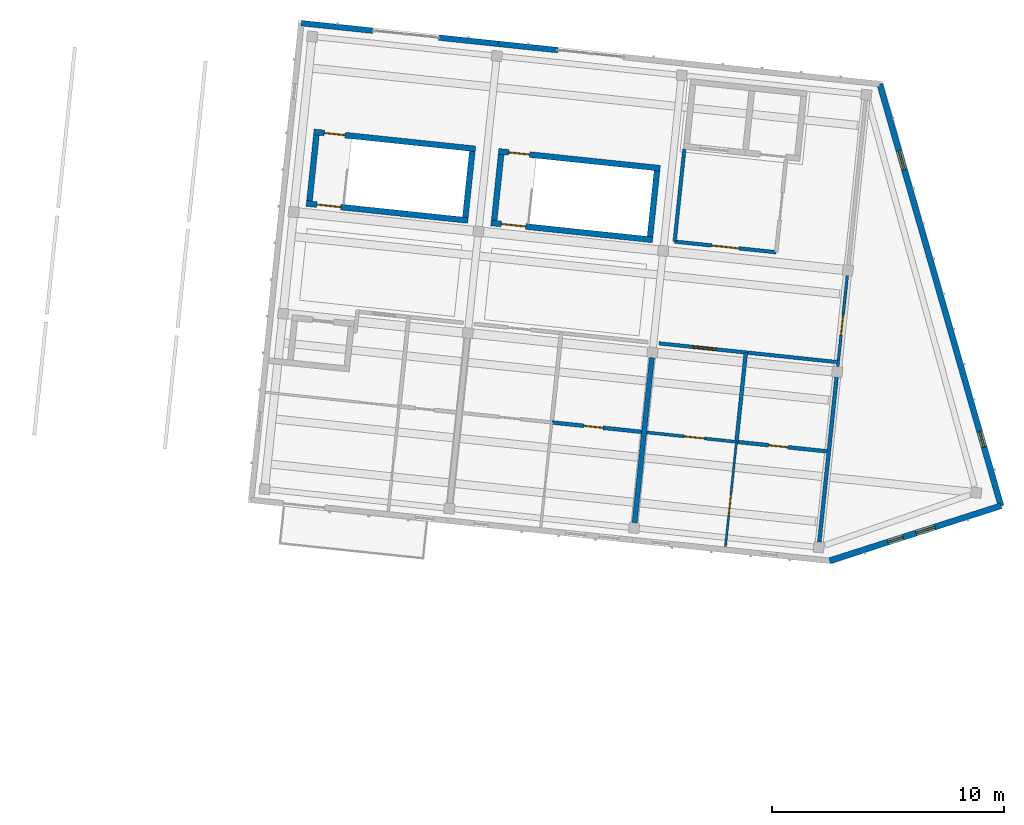
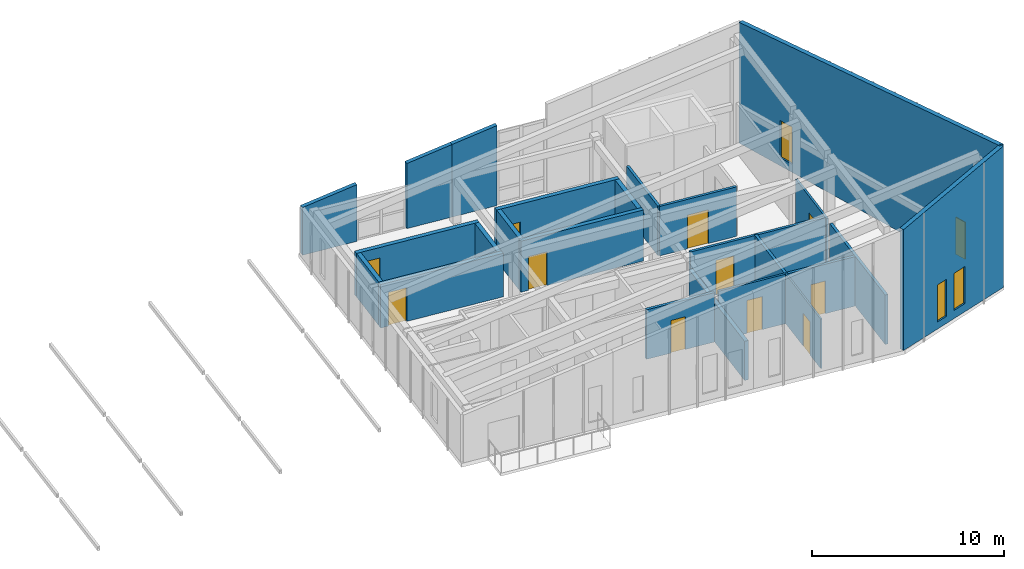
# One storey, part 18 of 31: 24 walls, 11 doors, 4 windows, 15 openings.
"""IFC4 building model written with IfcOpenShell, lengths in metres."""

from ifc_helpers import new_model, si_unit, direction, frame, frame_2d, origin, place, context, subcontext, project, spatial, polyline, rectangle, outline, extrude, material, layer, layer_set, type_object, element, fill, save


model = new_model("IFC4")

# Units and contexts
model_context = context("Model", 3, precision=1e-05, world=origin(), true_north=direction((0.0, 1.0)))
body_context = subcontext(model_context, "Body", "Model", "MODEL_VIEW")
ifc_project = project(units=[si_unit("LENGTHUNIT", "METRE"), si_unit("AREAUNIT", "SQUARE_METRE"), si_unit("VOLUMEUNIT", "CUBIC_METRE"), si_unit("PLANEANGLEUNIT", "RADIAN"), si_unit("MASSUNIT", "GRAM", prefix="KILO")], contexts=[model_context])

# Site, building, storey
site_placement = place(None, origin())
site = spatial("IfcSite", under=ifc_project, at=site_placement, CompositionType="ELEMENT")
building_placement = place(site_placement, origin())
building = spatial("IfcBuilding", under=site, at=building_placement, Name="Kestramere Prow Commons", CompositionType="ELEMENT")
storey_placement = place(building_placement, frame((0.0, 0.0, 37.64990234375)))
storey = spatial("IfcBuildingStorey", under=building, at=storey_placement, Name="L11", CompositionType="ELEMENT", Elevation=37.64990234375)

# Wall, openings, windows
ifc_material_1 = material(Name="Weathered Zinc-Titanium Standing-Seam Cladding")
ifc_layer_1 = layer(ifc_material_1, 0.260009765625)
ifc_layer_set_1 = layer_set([ifc_layer_1], Name="Weathered Zinc-Titanium Standing-Seam Cladding")
wall_type_1 = type_object("IfcWallType", Name="EW-PROW-260", PredefinedType="SOLIDWALL", material=ifc_layer_set_1)
wall_1_placement = place(storey_placement, frame((160.36279296875, 109.742431640625, 0.0), z_axis=(0.0, 0.0, 1.0), x_axis=(0.276322184526, -0.961065060409, 0.0)))
wall_1 = element("IfcWall", 1, at=wall_1_placement, inside=storey, type_object=wall_type_1, Name="Block B L11 PRW-N Facet Wall", PredefinedType="SOLIDWALL", context=body_context, shape_type="SweptSolid", body=[
    extrude(outline(polyline([(0.0, 0.0), (18.90673828125, 0.0), (18.90673828125, 9.002197265625), (0.0, 7.685791015625), (0.0, 0.0)])), frame((0.0, 0.1298828125, 0.0), z_axis=(0.0, -1.0, 0.0), x_axis=(1.0, 0.0, 0.0)), (0.0, 0.0, 1.0), 0.260009765625),
])
opening_1_placement = place(wall_1_placement, frame((2.989990234375, 0.0, 0.52001953125)))
opening_1 = element("IfcOpeningElement", 2, at=opening_1_placement, cuts=wall_1, Name="Opening WN-15", PredefinedType="OPENING", context=body_context, shape_type="SweptSolid", body=[
    extrude(rectangle(XDim=0.860107421875, YDim=2.360107421875, at=frame_2d((0.43017578125, 1.18017578125))), frame((0.0, 0.14501953125, 0.0), z_axis=(0.0, -1.0, 0.0), x_axis=(1.0, 0.0, 0.0)), (0.0, 0.0, 1.0), 0.2900390625),
])
opening_2_placement = place(wall_1_placement, frame((15.57666015625, 0.0, 0.449951171875)))
opening_2 = element("IfcOpeningElement", 3, at=opening_2_placement, cuts=wall_1, Name="Opening WN-07", PredefinedType="OPENING", context=body_context, shape_type="SweptSolid", body=[
    extrude(rectangle(XDim=0.699951171875, YDim=2.360107421875, at=frame_2d((0.35009765625, 1.18017578125))), frame((0.0, 0.14501953125, 0.0), z_axis=(0.0, -1.0, 0.0), x_axis=(1.0, 0.0, 0.0)), (0.0, 0.0, 1.0), 0.2900390625),
])
ifc_material_2 = material(Name="Low-E Laminated Double Glazing", Category="glass")
window_type_1 = type_object("IfcWindowType", Name="WN-NAR-700A", PartitioningType="SINGLE_PANEL", PredefinedType="WINDOW", material=ifc_material_2)
window_1_placement = place(opening_2_placement, origin())
window_1 = element("IfcWindow", 4, at=window_1_placement, inside=storey, type_object=window_type_1, Name="WN-B-L11-PRW-N-1", OverallHeight=2.360107421875, OverallWidth=0.699951171875, PartitioningType="SINGLE_PANEL", PredefinedType="WINDOW", context=body_context, shape_type="SweptSolid", body=[
    extrude(rectangle(XDim=0.699951171875, YDim=2.360107421875, at=frame_2d((0.35009765625, 1.18017578125))), frame((0.0, 0.030029296875, 0.0), z_axis=(0.0, -1.0, 0.0), x_axis=(1.0, 0.0, 0.0)), (0.0, 0.0, 1.0), 0.06005859375),
])
fill(opening_2, window_1)
window_type_2 = type_object("IfcWindowType", Name="WN-NAR-860A", PartitioningType="DOUBLE_PANEL_VERTICAL", PredefinedType="WINDOW", material=ifc_material_2)
window_2_placement = place(opening_1_placement, origin())
window_2 = element("IfcWindow", 5, at=window_2_placement, inside=storey, type_object=window_type_2, Name="WN-B-L11-PRW-N-0", OverallHeight=2.360107421875, OverallWidth=0.860107421875, PartitioningType="SINGLE_PANEL", PredefinedType="WINDOW", context=body_context, shape_type="SweptSolid", body=[
    extrude(rectangle(XDim=0.860107421875, YDim=2.360107421875, at=frame_2d((0.43017578125, 1.18017578125))), frame((0.0, 0.030029296875, 0.0), z_axis=(0.0, -1.0, 0.0), x_axis=(1.0, 0.0, 0.0)), (0.0, 0.0, 1.0), 0.06005859375),
])
fill(opening_1, window_2)

wall_2_placement = place(storey_placement, frame((165.587158203125, 91.57177734375, 0.0), z_axis=(0.0, 0.0, 1.0), x_axis=(-0.9522851043, -0.305209895201, 0.0)))
wall_2 = element("IfcWall", 6, at=wall_2_placement, inside=storey, type_object=wall_type_1, Name="Block B L11 PRW-S Facet Wall", PredefinedType="SOLIDWALL", context=body_context, shape_type="SweptSolid", body=[
    extrude(outline(polyline([(0.0, 0.0), (7.752685546875, 0.0), (7.752685546875, 7.685791015625), (0.0, 9.002197265625), (0.0, 0.0)])), frame((0.0, 0.1298828125, 0.0), z_axis=(0.0, -1.0, 0.0), x_axis=(1.0, 0.0, 0.0)), (0.0, 0.0, 1.0), 0.260009765625),
])
opening_3_placement = place(wall_2_placement, frame((2.989990234375, 0.0, 0.52001953125)))
opening_3 = element("IfcOpeningElement", 7, at=opening_3_placement, cuts=wall_2, Name="Opening WN-15", PredefinedType="OPENING", context=body_context, shape_type="SweptSolid", body=[
    extrude(rectangle(XDim=0.860107421875, YDim=2.360107421875, at=frame_2d((0.43017578125, 1.18017578125))), frame((0.0, 0.14501953125, 0.0), z_axis=(0.0, -1.0, 0.0), x_axis=(1.0, 0.0, 0.0)), (0.0, 0.0, 1.0), 0.2900390625),
])
opening_4_placement = place(wall_2_placement, frame((4.422607421875, 0.0, 0.449951171875)))
opening_4 = element("IfcOpeningElement", 8, at=opening_4_placement, cuts=wall_2, Name="Opening WN-07", PredefinedType="OPENING", context=body_context, shape_type="SweptSolid", body=[
    extrude(rectangle(XDim=0.699951171875, YDim=2.360107421875, at=frame_2d((0.35009765625, 1.18017578125))), frame((0.0, 0.14501953125, 0.0), z_axis=(0.0, -1.0, 0.0), x_axis=(1.0, 0.0, 0.0)), (0.0, 0.0, 1.0), 0.2900390625),
])
window_3_placement = place(opening_4_placement, origin())
window_3 = element("IfcWindow", 9, at=window_3_placement, inside=storey, type_object=window_type_1, Name="WN-B-L11-PRW-S-1", OverallHeight=2.360107421875, OverallWidth=0.699951171875, PartitioningType="SINGLE_PANEL", PredefinedType="WINDOW", context=body_context, shape_type="SweptSolid", body=[
    extrude(rectangle(XDim=0.699951171875, YDim=2.360107421875, at=frame_2d((0.35009765625, 1.18017578125))), frame((0.0, 0.030029296875, 0.0), z_axis=(0.0, -1.0, 0.0), x_axis=(1.0, 0.0, 0.0)), (0.0, 0.0, 1.0), 0.06005859375),
])
fill(opening_4, window_3)
window_4_placement = place(opening_3_placement, origin())
window_4 = element("IfcWindow", 10, at=window_4_placement, inside=storey, type_object=window_type_2, Name="WN-B-L11-PRW-S-0", OverallHeight=2.360107421875, OverallWidth=0.860107421875, PartitioningType="SINGLE_PANEL", PredefinedType="WINDOW", context=body_context, shape_type="SweptSolid", body=[
    extrude(rectangle(XDim=0.860107421875, YDim=2.360107421875, at=frame_2d((0.43017578125, 1.18017578125))), frame((0.0, 0.030029296875, 0.0), z_axis=(0.0, -1.0, 0.0), x_axis=(1.0, 0.0, 0.0)), (0.0, 0.0, 1.0), 0.06005859375),
])
fill(opening_3, window_4)

# Walls
ifc_material_3 = material(Name="Fluoropolymer Standing-Seam Zinc-Aluminium Cladding", Category="aluminium")
ifc_layer_2 = layer(ifc_material_3, 0.239990234375)
ifc_layer_set_2 = layer_set([ifc_layer_2], Name="Fluoropolymer Standing-Seam Zinc-Aluminium Cladding")
wall_type_2 = type_object("IfcWallType", Name="EW-SEAM-240", PredefinedType="SOLIDWALL", material=ifc_layer_set_2)
wall_3_placement = place(storey_placement, frame((135.449951171875, 112.36083984375, 0.0), z_axis=(0.0, 0.0, 1.0), x_axis=(0.99452399338, -0.104508500096, 0.0)))
element("IfcWall", 11, at=wall_3_placement, inside=storey, type_object=wall_type_2, Name="Block B L11 North Standing-Seam Pier 4L", PredefinedType="SOLIDWALL", context=body_context, shape_type="SweptSolid", body=[
    extrude(outline(polyline([(0.0, 0.0), (3.10009765625, 0.0), (3.10009765625, 3.61279296875), (0.0, 3.03759765625), (0.0, 0.0)])), frame((0.0, 0.1201171875, 0.0), z_axis=(0.0, -1.0, 0.0), x_axis=(1.0, 0.0, 0.0)), (0.0, 0.0, 1.0), 0.239990234375),
])
wall_4_placement = place(storey_placement, frame((141.367431640625, 111.739013671875, 0.0), z_axis=(0.0, 0.0, 1.0), x_axis=(0.99451635776, -0.104581136677, 0.0)))
element("IfcWall", 12, at=wall_4_placement, inside=storey, type_object=wall_type_2, Name="Block B L11 North Standing-Seam Pier 4R", PredefinedType="SOLIDWALL", context=body_context, shape_type="SweptSolid", body=[
    extrude(outline(polyline([(0.0, 0.0), (2.574951171875, 0.0), (2.574951171875, 4.619384765625), (0.0, 4.1416015625), (0.0, 0.0)])), frame((0.0, 0.1201171875, 0.0), z_axis=(0.0, -1.0, 0.0), x_axis=(1.0, 0.0, 0.0)), (0.0, 0.0, 1.0), 0.239990234375),
])
wall_5_placement = place(storey_placement, frame((143.92822265625, 111.4697265625, 0.0), z_axis=(0.0, 0.0, 1.0), x_axis=(0.994527249958, -0.104477505191, 0.0)))
element("IfcWall", 13, at=wall_5_placement, inside=storey, type_object=wall_type_2, Name="Block B L11 North Standing-Seam Pier 5L", PredefinedType="SOLIDWALL", context=body_context, shape_type="SweptSolid", body=[
    extrude(outline(polyline([(0.0, 0.0), (2.5751953125, 0.0), (2.574951171875, 5.097412109375), (0.0, 4.619384765625), (0.0, 0.0)])), frame((0.0, 0.1201171875, 0.0), z_axis=(0.0, -1.0, 0.0), x_axis=(1.0, 0.0, 0.0)), (0.0, 0.0, 1.0), 0.239990234375),
])

# Wall, opening, door
ifc_material_4 = material(Name="Concrete C40/50", Category="concrete")
ifc_layer_3 = layer(ifc_material_4, 0.25)
ifc_layer_set_3 = layer_set([ifc_layer_3], Name="Concrete C40/50")
wall_type_3 = type_object("IfcWallType", Name="W-CORE-250", PredefinedType="SHEAR", material=ifc_layer_set_3)
wall_6_placement = place(storey_placement, frame((135.988525390625, 107.678955078125, 0.0), z_axis=(0.0, 0.0, 1.0), x_axis=(0.994522066748, -0.104526832686, 0.0)))
wall_6 = element("IfcWall", 14, at=wall_6_placement, inside=storey, type_object=wall_type_3, Name="ST-B1 L11 North Shaft Wall", PredefinedType="SHEAR", context=body_context, shape_type="SweptSolid", body=[
    extrude(rectangle(XDim=7.0, YDim=0.25, at=frame_2d((3.5, 0.0))), origin(), (0.0, 0.0, 1.0), 2.77001953125),
])
opening_5_placement = place(wall_6_placement, frame((0.449951171875, 0.0, 0.0)))
opening_5 = element("IfcOpeningElement", 15, at=opening_5_placement, cuts=wall_6, Name="Opening ID-08", PredefinedType="OPENING", context=body_context, shape_type="SweptSolid", body=[
    extrude(rectangle(XDim=0.89990234375, YDim=2.10009765625, at=frame_2d((0.449951171875, 1.050048828125))), frame((0.0, 0.139892578125, 0.0), z_axis=(0.0, -1.0, 0.0), x_axis=(1.0, 0.0, 0.0)), (0.0, 0.0, 1.0), 0.280029296875),
])
ifc_material_5 = material(Name="Engineered Timber Flush Door", Category="wood")
door_type_1 = type_object("IfcDoorType", Name="D-RM-01", OperationType="NOTDEFINED", PredefinedType="DOOR", material=ifc_material_5)
door_1_placement = place(opening_5_placement, origin())
door_1 = element("IfcDoor", 16, at=door_1_placement, inside=storey, type_object=door_type_1, Name="ST-B1 L11 North Room Door", OperationType="SINGLE_SWING_RIGHT", OverallHeight=2.10009765625, OverallWidth=0.89990234375, PredefinedType="DOOR", context=body_context, shape_type="SweptSolid", body=[
    extrude(rectangle(XDim=0.89990234375, YDim=2.10009765625, at=frame_2d((0.449951171875, 1.050048828125))), frame((0.0, 0.02490234375, 0.0), z_axis=(0.0, -1.0, 0.0), x_axis=(1.0, 0.0, 0.0)), (0.0, 0.0, 1.0), 0.050048828125),
])
fill(opening_5, door_1)

wall_7_placement = place(storey_placement, frame((135.66455078125, 104.595947265625, 0.0), z_axis=(0.0, 0.0, 1.0), x_axis=(0.994522066748, -0.104526832686, 0.0)))
wall_7 = element("IfcWall", 17, at=wall_7_placement, inside=storey, type_object=wall_type_3, Name="ST-B1 L11 Corridor Shaft Wall", PredefinedType="SHEAR", context=body_context, shape_type="SweptSolid", body=[
    extrude(rectangle(XDim=7.0, YDim=0.25, at=frame_2d((3.5, 0.0))), origin(), (0.0, 0.0, 1.0), 2.77001953125),
])
opening_6_placement = place(wall_7_placement, frame((0.449951171875, 0.0, 0.0)))
opening_6 = element("IfcOpeningElement", 18, at=opening_6_placement, cuts=wall_7, Name="Opening ID-01", PredefinedType="OPENING", context=body_context, shape_type="SweptSolid", body=[
    extrude(rectangle(XDim=1.050048828125, YDim=2.14990234375, at=frame_2d((0.52490234375, 1.074951171875))), frame((0.0, 0.139892578125, 0.0), z_axis=(0.0, -1.0, 0.0), x_axis=(1.0, 0.0, 0.0)), (0.0, 0.0, 1.0), 0.280029296875),
])
ifc_material_6 = material(Name="Fire-Rated Timber and Steel Frame", Category="steel")
door_type_2 = type_object("IfcDoorType", Name="FD-ST-01", OperationType="NOTDEFINED", PredefinedType="DOOR", material=ifc_material_6)
door_2_placement = place(opening_6_placement, origin())
door_2 = element("IfcDoor", 19, at=door_2_placement, inside=storey, type_object=door_type_2, Name="ST-B1 L11 Protected Stair Door", OperationType="SINGLE_SWING_RIGHT", OverallHeight=2.14990234375, OverallWidth=1.050048828125, PredefinedType="DOOR", context=body_context, shape_type="SweptSolid", body=[
    extrude(rectangle(XDim=1.050048828125, YDim=2.14990234375, at=frame_2d((0.52490234375, 1.074951171875))), frame((0.0, 0.02490234375, 0.0), z_axis=(0.0, -1.0, 0.0), x_axis=(1.0, 0.0, 0.0)), (0.0, 0.0, 1.0), 0.050048828125),
])
fill(opening_6, door_2)

# Walls
for number, where, z_axis, x_axis, name in (
    (20, (135.802001953125, 104.707275390625, 0.0), (0.0, 0.0, 1.0), (0.104515324063, 0.994523276267, 0.0), "ST-B1 L11 Near Shaft Wall"),
    (21, (142.514892578125, 104.001708984375, 0.0), (0.0, 0.0, 1.0), (0.104515324063, 0.994523276267, 0.0), "ST-B1 L11 Far Shaft Wall"),
):
    element("IfcWall", number, at=place(storey_placement, frame(where, z_axis=z_axis, x_axis=x_axis)), inside=storey, type_object=wall_type_3, Name=name, PredefinedType="SHEAR", context=body_context, shape_type="SweptSolid", body=[
        extrude(rectangle(XDim=2.849853515625, YDim=0.25, at=frame_2d((1.4248046875, 0.0))), origin(), (0.0, 0.0, 1.0), 2.77001953125),
    ])

# Wall, opening, door
wall_8_placement = place(storey_placement, frame((143.94482421875, 106.8427734375, 0.0), z_axis=(0.0, 0.0, 1.0), x_axis=(0.994522066748, -0.104526832686, 0.0)))
wall_8 = element("IfcWall", 22, at=wall_8_placement, inside=storey, type_object=wall_type_3, Name="ST-B2 L11 North Shaft Wall", PredefinedType="SHEAR", context=body_context, shape_type="SweptSolid", body=[
    extrude(rectangle(XDim=7.0, YDim=0.25, at=frame_2d((3.5, 0.0))), origin(), (0.0, 0.0, 1.0), 3.25),
])
opening_7_placement = place(wall_8_placement, frame((0.449951171875, 0.0, 0.0)))
opening_7 = element("IfcOpeningElement", 23, at=opening_7_placement, cuts=wall_8, Name="Opening ID-08", PredefinedType="OPENING", context=body_context, shape_type="SweptSolid", body=[
    extrude(rectangle(XDim=0.89990234375, YDim=2.10009765625, at=frame_2d((0.449951171875, 1.050048828125))), frame((0.0, 0.139892578125, 0.0), z_axis=(0.0, -1.0, 0.0), x_axis=(1.0, 0.0, 0.0)), (0.0, 0.0, 1.0), 0.280029296875),
])
door_3_placement = place(opening_7_placement, origin())
door_3 = element("IfcDoor", 24, at=door_3_placement, inside=storey, type_object=door_type_1, Name="ST-B2 L11 North Room Door", OperationType="SINGLE_SWING_RIGHT", OverallHeight=2.10009765625, OverallWidth=0.89990234375, PredefinedType="DOOR", context=body_context, shape_type="SweptSolid", body=[
    extrude(rectangle(XDim=0.89990234375, YDim=2.10009765625, at=frame_2d((0.449951171875, 1.050048828125))), frame((0.0, 0.02490234375, 0.0), z_axis=(0.0, -1.0, 0.0), x_axis=(1.0, 0.0, 0.0)), (0.0, 0.0, 1.0), 0.050048828125),
])
fill(opening_7, door_3)

wall_9_placement = place(storey_placement, frame((143.62060546875, 103.759765625, 0.0), z_axis=(0.0, 0.0, 1.0), x_axis=(0.994522066748, -0.104526832686, 0.0)))
wall_9 = element("IfcWall", 25, at=wall_9_placement, inside=storey, type_object=wall_type_3, Name="ST-B2 L11 Corridor Shaft Wall", PredefinedType="SHEAR", context=body_context, shape_type="SweptSolid", body=[
    extrude(rectangle(XDim=7.0, YDim=0.25, at=frame_2d((3.5, 0.0))), origin(), (0.0, 0.0, 1.0), 3.25),
])
opening_8_placement = place(wall_9_placement, frame((0.449951171875, 0.0, 0.0)))
opening_8 = element("IfcOpeningElement", 26, at=opening_8_placement, cuts=wall_9, Name="Opening ID-01", PredefinedType="OPENING", context=body_context, shape_type="SweptSolid", body=[
    extrude(rectangle(XDim=1.050048828125, YDim=2.14990234375, at=frame_2d((0.52490234375, 1.074951171875))), frame((0.0, 0.139892578125, 0.0), z_axis=(0.0, -1.0, 0.0), x_axis=(1.0, 0.0, 0.0)), (0.0, 0.0, 1.0), 0.280029296875),
])
door_4_placement = place(opening_8_placement, origin())
door_4 = element("IfcDoor", 27, at=door_4_placement, inside=storey, type_object=door_type_2, Name="ST-B2 L11 Protected Stair Door", OperationType="SINGLE_SWING_RIGHT", OverallHeight=2.14990234375, OverallWidth=1.050048828125, PredefinedType="DOOR", context=body_context, shape_type="SweptSolid", body=[
    extrude(rectangle(XDim=1.050048828125, YDim=2.14990234375, at=frame_2d((0.52490234375, 1.074951171875))), frame((0.0, 0.02490234375, 0.0), z_axis=(0.0, -1.0, 0.0), x_axis=(1.0, 0.0, 0.0)), (0.0, 0.0, 1.0), 0.050048828125),
])
fill(opening_8, door_4)

# Walls
for number, where, z_axis, x_axis, name in (
    (28, (143.758056640625, 103.87109375, 0.0), (0.0, 0.0, 1.0), (0.104515324063, 0.994523276267, 0.0), "ST-B2 L11 Near Shaft Wall"),
    (29, (150.47119140625, 103.16552734375, 0.0), (0.0, 0.0, 1.0), (0.104515324063, 0.994523276267, 0.0), "ST-B2 L11 Far Shaft Wall"),
):
    element("IfcWall", number, at=place(storey_placement, frame(where, z_axis=z_axis, x_axis=x_axis)), inside=storey, type_object=wall_type_3, Name=name, PredefinedType="SHEAR", context=body_context, shape_type="SweptSolid", body=[
        extrude(rectangle(XDim=2.849853515625, YDim=0.25, at=frame_2d((1.4248046875, 0.0))), origin(), (0.0, 0.0, 1.0), 3.25),
    ])

# Wall, opening, door
ifc_material_7 = material(Name="Fire-Rated Calcium Silicate Wall")
ifc_layer_4 = layer(ifc_material_7, 0.155029296875)
ifc_layer_set_4 = layer_set([ifc_layer_4], Name="Fire-Rated Calcium Silicate Wall")
wall_type_4 = type_object("IfcWallType", Name="W-FIRE-150", PredefinedType="PARTITIONING", material=ifc_layer_set_4)
wall_10_placement = place(storey_placement, frame((151.52978515625, 102.95361328125, 0.0), z_axis=(0.0, 0.0, 1.0), x_axis=(0.994521251134, -0.104534592565, 0.0)))
wall_10 = element("IfcWall", 30, at=wall_10_placement, inside=storey, type_object=wall_type_4, Name="Interior Partition PW-B-L11-FFL-S", PredefinedType="PARTITIONING", context=body_context, shape_type="SweptSolid", body=[
    extrude(rectangle(XDim=4.400146484375, YDim=0.155029296875, at=frame_2d((2.2001953125, 0.0))), origin(), (0.0, 0.0, 1.0), 3.150146484375),
])
opening_9_placement = place(wall_10_placement, frame((1.60009765625, 0.0, 0.0)))
opening_9 = element("IfcOpeningElement", 31, at=opening_9_placement, cuts=wall_10, Name="Opening ID-03", PredefinedType="OPENING", context=body_context, shape_type="SweptSolid", body=[
    extrude(rectangle(XDim=1.179931640625, YDim=2.14990234375, at=frame_2d((0.58984375, 1.074951171875))), frame((0.0, 0.092529296875, 0.0), z_axis=(0.0, -1.0, 0.0), x_axis=(1.0, 0.0, 0.0)), (0.0, 0.0, 1.0), 0.18505859375),
])
ifc_material_8 = material(Name="Fire-Rated Glazed Smoke-Stop Door")
door_type_3 = type_object("IfcDoorType", Name="FD-LB-01", OperationType="NOTDEFINED", PredefinedType="DOOR", material=ifc_material_8)
door_5_placement = place(opening_9_placement, origin())
door_5 = element("IfcDoor", 32, at=door_5_placement, inside=storey, type_object=door_type_3, Name="Interior Door DR-B-L11-FFL", OperationType="SINGLE_SWING_RIGHT", OverallHeight=2.14990234375, OverallWidth=1.179931640625, PredefinedType="DOOR", context=body_context, shape_type="SweptSolid", body=[
    extrude(rectangle(XDim=1.179931640625, YDim=2.14990234375, at=frame_2d((0.58984375, 1.074951171875))), frame((0.0, 0.02490234375, 0.0), z_axis=(0.0, -1.0, 0.0), x_axis=(1.0, 0.0, 0.0)), (0.0, 0.0, 1.0), 0.050048828125),
])
fill(opening_9, door_5)

# Wall
wall_11_placement = place(storey_placement, frame((151.52978515625, 102.95361328125, 0.0), z_axis=(0.0, 0.0, 1.0), x_axis=(0.104554517933, 0.994519156568, 0.0)))
element("IfcWall", 33, at=wall_11_placement, inside=storey, type_object=wall_type_4, Name="Interior Partition PW-B-L11-FFL-W", PredefinedType="PARTITIONING", context=body_context, shape_type="SweptSolid", body=[
    extrude(rectangle(XDim=4.0, YDim=0.155029296875, at=frame_2d((2.0, 0.0))), origin(), (0.0, 0.0, 1.0), 3.150146484375),
])

# Wall, opening, door
wall_12_placement = place(storey_placement, frame((150.85302734375, 98.5703125, 0.0), z_axis=(0.0, 0.0, 1.0), x_axis=(0.994523865423, -0.104509717754, 0.0)))
wall_12 = element("IfcWall", 34, at=wall_12_placement, inside=storey, type_object=wall_type_4, Name="Interior Partition PW-B-L11-CS-5", PredefinedType="PARTITIONING", context=body_context, shape_type="SweptSolid", body=[
    extrude(rectangle(XDim=7.695068359375, YDim=0.155029296875, at=frame_2d((3.84765625, 0.0))), origin(), (0.0, 0.0, 1.0), 3.150146484375),
])
opening_10_placement = place(wall_12_placement, frame((1.455078125, 0.0, 0.0)))
opening_10 = element("IfcOpeningElement", 35, at=opening_10_placement, cuts=wall_12, Name="Opening ID-05", PredefinedType="OPENING", context=body_context, shape_type="SweptSolid", body=[
    extrude(rectangle(XDim=1.02001953125, YDim=2.199951171875, at=frame_2d((0.510009765625, 1.10009765625))), frame((0.0, 0.092529296875, 0.0), z_axis=(0.0, -1.0, 0.0), x_axis=(1.0, 0.0, 0.0)), (0.0, 0.0, 1.0), 0.18505859375),
])
ifc_material_9 = material(Name="Hardwood Fire-Rated Flat Entrance Door", Category="wood")
door_type_4 = type_object("IfcDoorType", Name="FD-ENT-02", OperationType="NOTDEFINED", PredefinedType="DOOR", material=ifc_material_9)
door_6_placement = place(opening_10_placement, origin())
door_6 = element("IfcDoor", 36, at=door_6_placement, inside=storey, type_object=door_type_4, Name="Interior Door DR-B-L11-ENT-S5", OperationType="SINGLE_SWING_LEFT", OverallHeight=2.199951171875, OverallWidth=1.02001953125, PredefinedType="DOOR", context=body_context, shape_type="SweptSolid", body=[
    extrude(rectangle(XDim=1.02001953125, YDim=2.199951171875, at=frame_2d((0.510009765625, 1.10009765625))), frame((0.0, 0.02490234375, 0.0), z_axis=(0.0, -1.0, 0.0), x_axis=(1.0, 0.0, 0.0)), (0.0, 0.0, 1.0), 0.050048828125),
])
fill(opening_10, door_6)

ifc_material_10 = material(Name="Lightweight Blockwork and Plaster", Category="masonry")
ifc_layer_5 = layer(ifc_material_10, 0.1201171875)
ifc_layer_set_5 = layer_set([ifc_layer_5], Name="Lightweight Blockwork and Plaster")
wall_type_5 = type_object("IfcWallType", Name="W-PART-120", PredefinedType="PARTITIONING", material=ifc_layer_set_5)
wall_13_placement = place(storey_placement, frame((158.55615234375, 97.57470703125, 0.0), z_axis=(0.0, 0.0, 1.0), x_axis=(0.104490754769, 0.994525857968, 0.0)))
wall_13 = element("IfcWall", 37, at=wall_13_placement, inside=storey, type_object=wall_type_5, Name="Interior Partition PW-B-L11-PROW-ACC", PredefinedType="PARTITIONING", context=body_context, shape_type="SweptSolid", body=[
    extrude(rectangle(XDim=3.929931640625, YDim=0.1201171875, at=frame_2d((1.96484375, 0.0))), origin(), (0.0, 0.0, 1.0), 3.150146484375),
])
opening_11_placement = place(wall_13_placement, frame((1.35009765625, 0.0, 0.0)))
opening_11 = element("IfcOpeningElement", 38, at=opening_11_placement, cuts=wall_13, Name="Opening ID-10", PredefinedType="OPENING", context=body_context, shape_type="SweptSolid", body=[
    extrude(rectangle(XDim=0.8798828125, YDim=2.10009765625, at=frame_2d((0.43994140625, 1.050048828125))), frame((0.0, 0.074951171875, 0.0), z_axis=(0.0, -1.0, 0.0), x_axis=(1.0, 0.0, 0.0)), (0.0, 0.0, 1.0), 0.150146484375),
])
ifc_material_11 = material(Name="Engineered Timber Bedroom Door", Category="wood")
door_type_5 = type_object("IfcDoorType", Name="D-RM-03", OperationType="NOTDEFINED", PredefinedType="DOOR", material=ifc_material_11)
door_7_placement = place(opening_11_placement, origin())
door_7 = element("IfcDoor", 39, at=door_7_placement, inside=storey, type_object=door_type_5, Name="Interior Door DR-B-L11-PROW", OperationType="SINGLE_SWING_LEFT", OverallHeight=2.10009765625, OverallWidth=0.8798828125, PredefinedType="DOOR", context=body_context, shape_type="SweptSolid", body=[
    extrude(rectangle(XDim=0.8798828125, YDim=2.10009765625, at=frame_2d((0.43994140625, 1.050048828125))), frame((0.0, 0.02490234375, 0.0), z_axis=(0.0, -1.0, 0.0), x_axis=(1.0, 0.0, 0.0)), (0.0, 0.0, 1.0), 0.050048828125),
])
fill(opening_11, door_7)

ifc_layer_6 = layer(ifc_material_10, 0.1298828125)
ifc_layer_set_6 = layer_set([ifc_layer_6], Name="Lightweight Blockwork and Plaster")
wall_type_6 = type_object("IfcWallType", Name="W-PART-130", PredefinedType="PARTITIONING", material=ifc_layer_set_6)
wall_14_placement = place(storey_placement, frame((150.3291015625, 94.734130859375, 0.0), z_axis=(0.0, 0.0, 1.0), x_axis=(0.994524375082, -0.104504867671, 0.0)))
wall_14 = element("IfcWall", 40, at=wall_14_placement, inside=storey, type_object=wall_type_6, Name="Interior Partition PW-B-L11-MIDS1-5", PredefinedType="PARTITIONING", context=body_context, shape_type="SweptSolid", body=[
    extrude(rectangle(XDim=3.885009765625, YDim=0.1298828125, at=frame_2d((1.9423828125, 0.0))), origin(), (0.0, 0.0, 1.0), 3.150146484375),
])
opening_12_placement = place(wall_14_placement, frame((1.625, 0.0, 0.0)))
opening_12 = element("IfcOpeningElement", 41, at=opening_12_placement, cuts=wall_14, Name="Opening ID-10", PredefinedType="OPENING", context=body_context, shape_type="SweptSolid", body=[
    extrude(rectangle(XDim=0.8798828125, YDim=2.10009765625, at=frame_2d((0.43994140625, 1.050048828125))), frame((0.0, 0.079833984375, 0.0), z_axis=(0.0, -1.0, 0.0), x_axis=(1.0, 0.0, 0.0)), (0.0, 0.0, 1.0), 0.159912109375),
])
door_8_placement = place(opening_12_placement, origin())
door_8 = element("IfcDoor", 42, at=door_8_placement, inside=storey, type_object=door_type_5, Name="Interior Door DR-B-L11-KL-S5", OperationType="SINGLE_SWING_RIGHT", OverallHeight=2.10009765625, OverallWidth=0.8798828125, PredefinedType="DOOR", context=body_context, shape_type="SweptSolid", body=[
    extrude(rectangle(XDim=0.8798828125, YDim=2.10009765625, at=frame_2d((0.43994140625, 1.050048828125))), frame((0.0, 0.02490234375, 0.0), z_axis=(0.0, -1.0, 0.0), x_axis=(1.0, 0.0, 0.0)), (0.0, 0.0, 1.0), 0.050048828125),
])
fill(opening_12, door_8)

ifc_material_12 = material(Name="Gypsum Acoustic Drywall")
ifc_layer_7 = layer(ifc_material_12, 0.094970703125)
ifc_layer_set_7 = layer_set([ifc_layer_7], Name="Gypsum Acoustic Drywall")
wall_type_7 = type_object("IfcWallType", Name="W-PART-95", PredefinedType="PARTITIONING", material=ifc_layer_set_7)
wall_15_placement = place(storey_placement, frame((153.71826171875, 89.81298828125, 0.0), z_axis=(0.0, 0.0, 1.0), x_axis=(0.104539221709, 0.994520764552, 0.0)))
wall_15 = element("IfcWall", 43, at=wall_15_placement, inside=storey, type_object=wall_type_7, Name="Interior Partition PW-B-L11-LB-S5", PredefinedType="PARTITIONING", context=body_context, shape_type="SweptSolid", body=[
    extrude(rectangle(XDim=4.5400390625, YDim=0.094970703125, at=frame_2d((2.27001953125, 0.0))), origin(), (0.0, 0.0, 1.0), 3.150146484375),
])
opening_13_placement = place(wall_15_placement, frame((1.35009765625, 0.0, 0.0)))
opening_13 = element("IfcOpeningElement", 44, at=opening_13_placement, cuts=wall_15, Name="Opening ID-08", PredefinedType="OPENING", context=body_context, shape_type="SweptSolid", body=[
    extrude(rectangle(XDim=0.89990234375, YDim=2.10009765625, at=frame_2d((0.449951171875, 1.050048828125))), frame((0.0, 0.0625, 0.0), z_axis=(0.0, -1.0, 0.0), x_axis=(1.0, 0.0, 0.0)), (0.0, 0.0, 1.0), 0.125),
])
door_9_placement = place(opening_13_placement, origin())
door_9 = element("IfcDoor", 45, at=door_9_placement, inside=storey, type_object=door_type_1, Name="Interior Door DR-B-L11-BED-S5", OperationType="SINGLE_SWING_RIGHT", OverallHeight=2.10009765625, OverallWidth=0.89990234375, PredefinedType="DOOR", context=body_context, shape_type="SweptSolid", body=[
    extrude(rectangle(XDim=0.89990234375, YDim=2.10009765625, at=frame_2d((0.449951171875, 1.050048828125))), frame((0.0, 0.02490234375, 0.0), z_axis=(0.0, -1.0, 0.0), x_axis=(1.0, 0.0, 0.0)), (0.0, 0.0, 1.0), 0.050048828125),
])
fill(opening_13, door_9)

# Wall
ifc_material_13 = material(Name="Waterproof Sanitary Masonry Wall", Category="masonry")
ifc_layer_8 = layer(ifc_material_13, 0.1650390625)
ifc_layer_set_8 = layer_set([ifc_layer_8], Name="Waterproof Sanitary Masonry Wall")
wall_type_8 = type_object("IfcWallType", Name="W-PLUMB-150", PredefinedType="PLUMBINGWALL", material=ifc_layer_set_8)
wall_16_placement = place(storey_placement, frame((157.76171875, 90.016357421875, 0.0), z_axis=(0.0, 0.0, 1.0), x_axis=(0.10450653689, 0.994524199679, 0.0)))
element("IfcWall", 46, at=wall_16_placement, inside=storey, type_object=wall_type_8, Name="Interior Partition PW-B-L11-PRWE-S", PredefinedType="PLUMBINGWALL", context=body_context, shape_type="SweptSolid", body=[
    extrude(rectangle(XDim=7.1298828125, YDim=0.1650390625, at=frame_2d((3.56494140625, 0.0))), origin(), (0.0, 0.0, 1.0), 3.150146484375),
])

# Wall, opening, door
wall_17_placement = place(storey_placement, frame((146.236572265625, 95.164306640625, 0.0), z_axis=(0.0, 0.0, 1.0), x_axis=(0.994517841934, -0.104567021925, 0.0)))
wall_17 = element("IfcWall", 47, at=wall_17_placement, inside=storey, type_object=wall_type_8, Name="Interior Partition PW-B-L11-MIDS2-4", PredefinedType="PLUMBINGWALL", context=body_context, shape_type="SweptSolid", body=[
    extrude(rectangle(XDim=3.885009765625, YDim=0.1650390625, at=frame_2d((1.9423828125, 0.0))), origin(), (0.0, 0.0, 1.0), 3.150146484375),
])
opening_14_placement = place(wall_17_placement, frame((1.39990234375, 0.0, 0.0)))
opening_14 = element("IfcOpeningElement", 48, at=opening_14_placement, cuts=wall_17, Name="Opening ID-11", PredefinedType="OPENING", context=body_context, shape_type="SweptSolid", body=[
    extrude(rectangle(XDim=0.820068359375, YDim=2.080078125, at=frame_2d((0.41015625, 1.0400390625))), frame((0.0, 0.097412109375, 0.0), z_axis=(0.0, -1.0, 0.0), x_axis=(1.0, 0.0, 0.0)), (0.0, 0.0, 1.0), 0.195068359375),
])
ifc_material_14 = material(Name="Moisture-Resistant Timber Bathroom Door", Category="wood")
door_type_6 = type_object("IfcDoorType", Name="D-BT-01", OperationType="NOTDEFINED", PredefinedType="DOOR", material=ifc_material_14)
door_10_placement = place(opening_14_placement, origin())
door_10 = element("IfcDoor", 49, at=door_10_placement, inside=storey, type_object=door_type_6, Name="Interior Door DR-B-L11-BTH-S4", OperationType="SINGLE_SWING_LEFT", OverallHeight=2.080078125, OverallWidth=0.820068359375, PredefinedType="DOOR", context=body_context, shape_type="SweptSolid", body=[
    extrude(rectangle(XDim=0.820068359375, YDim=2.080078125, at=frame_2d((0.41015625, 1.0400390625))), frame((0.0, 0.02490234375, 0.0), z_axis=(0.0, -1.0, 0.0), x_axis=(1.0, 0.0, 0.0)), (0.0, 0.0, 1.0), 0.050048828125),
])
fill(opening_14, door_10)

wall_18_placement = place(storey_placement, frame((154.19287109375, 94.328125, 0.0), z_axis=(0.0, 0.0, 1.0), x_axis=(0.994515370761, -0.104590522134, 0.0)))
wall_18 = element("IfcWall", 50, at=wall_18_placement, inside=storey, type_object=wall_type_8, Name="Interior Partition PW-B-L11-MIDS2-5", PredefinedType="PLUMBINGWALL", context=body_context, shape_type="SweptSolid", body=[
    extrude(rectangle(XDim=3.909912109375, YDim=0.1650390625, at=frame_2d((1.955078125, 0.0))), origin(), (0.0, 0.0, 1.0), 3.150146484375),
])
opening_15_placement = place(wall_18_placement, frame((1.39990234375, 0.0, 0.0)))
opening_15 = element("IfcOpeningElement", 51, at=opening_15_placement, cuts=wall_18, Name="Opening ID-11", PredefinedType="OPENING", context=body_context, shape_type="SweptSolid", body=[
    extrude(rectangle(XDim=0.820068359375, YDim=2.080078125, at=frame_2d((0.41015625, 1.0400390625))), frame((0.0, 0.097412109375, 0.0), z_axis=(0.0, -1.0, 0.0), x_axis=(1.0, 0.0, 0.0)), (0.0, 0.0, 1.0), 0.195068359375),
])
door_11_placement = place(opening_15_placement, origin())
door_11 = element("IfcDoor", 52, at=door_11_placement, inside=storey, type_object=door_type_6, Name="Interior Door DR-B-L11-BTH-S5", OperationType="SINGLE_SWING_LEFT", OverallHeight=2.080078125, OverallWidth=0.820068359375, PredefinedType="DOOR", context=body_context, shape_type="SweptSolid", body=[
    extrude(rectangle(XDim=0.820068359375, YDim=2.080078125, at=frame_2d((0.41015625, 1.0400390625))), frame((0.0, 0.02490234375, 0.0), z_axis=(0.0, -1.0, 0.0), x_axis=(1.0, 0.0, 0.0)), (0.0, 0.0, 1.0), 0.050048828125),
])
fill(opening_15, door_11)

# Walls
wall_19_placement = place(storey_placement, frame((154.19287109375, 94.328125, 0.0), z_axis=(0.0, 0.0, 1.0), x_axis=(0.104474602317, 0.994527554908, 0.0)))
element("IfcWall", 53, at=wall_19_placement, inside=storey, type_object=wall_type_8, Name="Interior Partition PW-B-L11-KB-S5", PredefinedType="PLUMBINGWALL", context=body_context, shape_type="SweptSolid", body=[
    extrude(rectangle(XDim=3.869873046875, YDim=0.1650390625, at=frame_2d((1.93505859375, 0.0))), origin(), (0.0, 0.0, 1.0), 3.150146484375),
])
ifc_material_15 = material(Name="Precast concrete C40/50", Category="concrete")
ifc_layer_9 = layer(ifc_material_15, 0.219970703125)
ifc_layer_set_9 = layer_set([ifc_layer_9], Name="Precast concrete C40/50")
wall_type_9 = type_object("IfcWallType", Name="W-XWALL-220", PredefinedType="SHEAR", material=ifc_layer_set_9)
wall_20_placement = place(storey_placement, frame((149.804443359375, 90.842529296875, 0.0), z_axis=(0.0, 0.0, 1.0), x_axis=(0.104519481265, 0.994522839374, 0.0)))
element("IfcWall", 54, at=wall_20_placement, inside=storey, type_object=wall_type_9, Name="Block B L11 Precast Cross-Wall 5", PredefinedType="SHEAR", context=body_context, shape_type="SweptSolid", body=[
    extrude(rectangle(XDim=7.14990234375, YDim=0.219970703125, at=frame_2d((3.574951171875, 0.0))), origin(), (0.0, 0.0, 1.0), 2.5),
])

save(model, "model.ifc")
